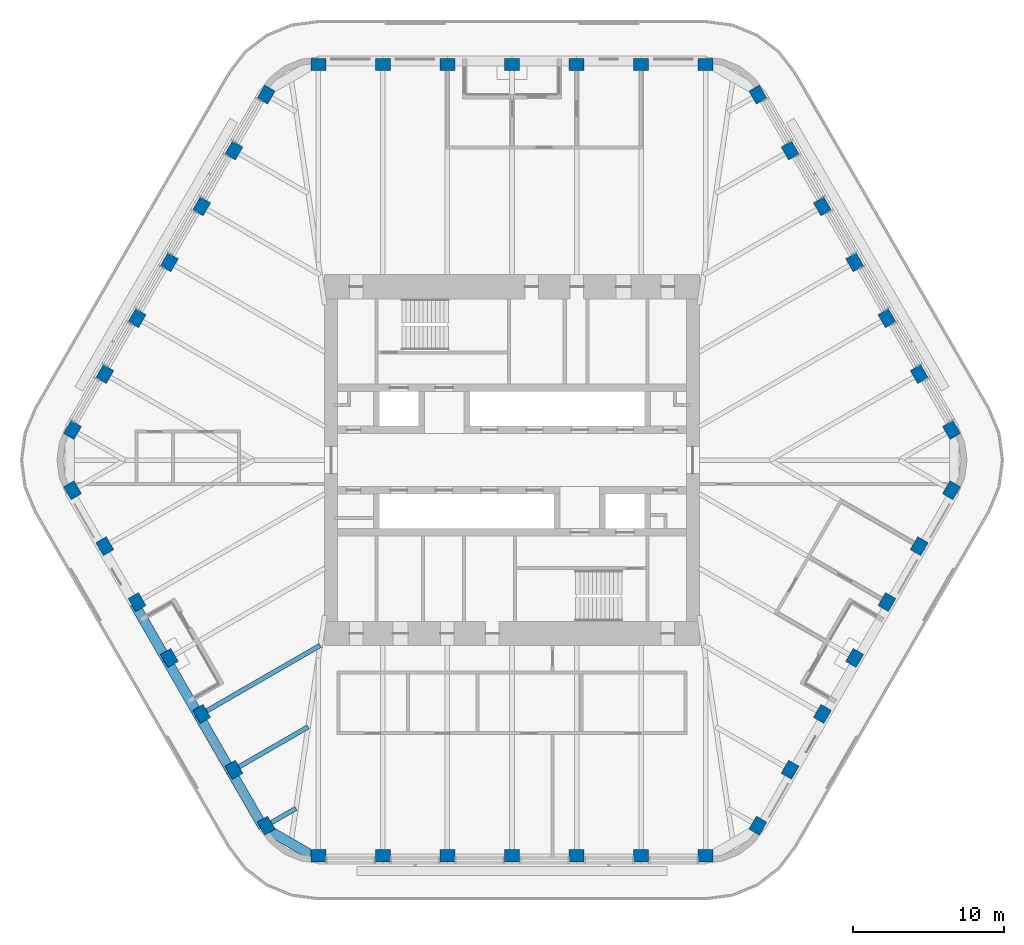
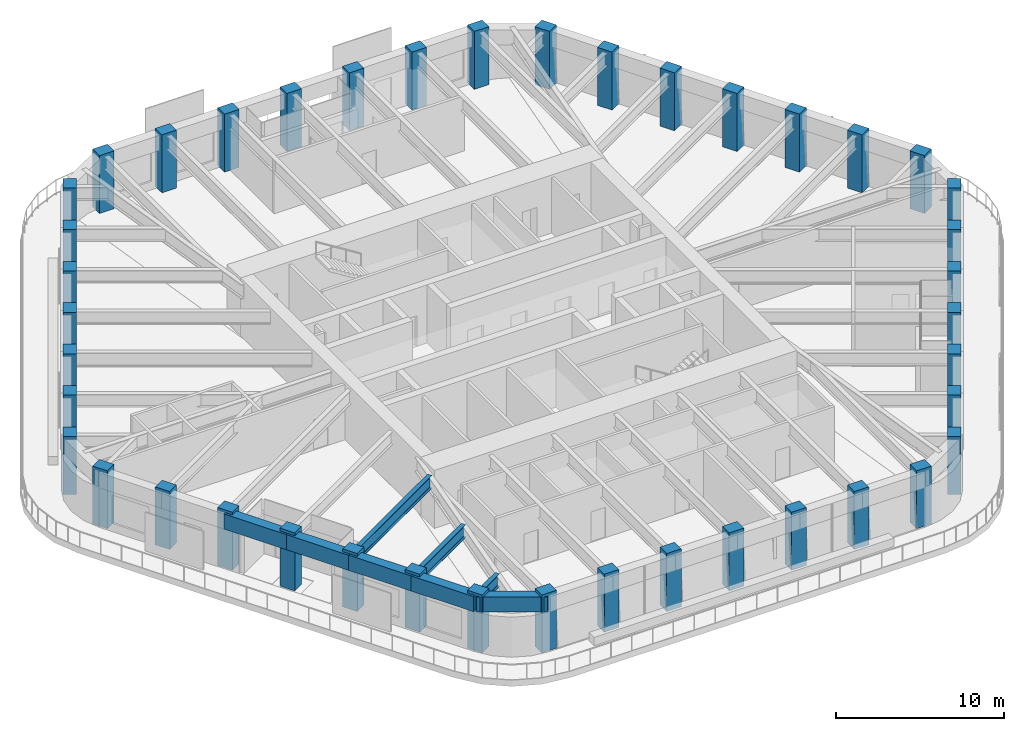
# One storey, part 1 of 19: 42 columns, 8 beams.
"""IFC4 building model written with IfcOpenShell, lengths in metres."""

from ifc_helpers import new_model, si_unit, direction, frame, origin, origin_2d, place, context, subcontext, project, spatial, rectangle, i_section, extrude, material, material_profile, profile_set, type_object, element, save


model = new_model("IFC4")

# Units and contexts
model_context = context("Model", 3, precision=1e-05, world=origin(), true_north=direction((0.0, 1.0)))
body_context = subcontext(model_context, "Body", "Model", "MODEL_VIEW")
ifc_project = project(units=[si_unit("LENGTHUNIT", "METRE"), si_unit("AREAUNIT", "SQUARE_METRE"), si_unit("VOLUMEUNIT", "CUBIC_METRE"), si_unit("PLANEANGLEUNIT", "RADIAN"), si_unit("MASSUNIT", "GRAM", prefix="KILO")], contexts=[model_context])

# Site, building, storey
site_placement = place(None, origin())
site = spatial("IfcSite", under=ifc_project, at=site_placement, CompositionType="ELEMENT")
building_placement = place(site_placement, origin())
building = spatial("IfcBuilding", under=site, at=building_placement, Name="Tarfa Lantern Tower", CompositionType="ELEMENT")
storey_placement = place(building_placement, frame((0.0, 0.0, 336.699951171875)))
storey = spatial("IfcBuildingStorey", under=building, at=storey_placement, Name="L76", CompositionType="ELEMENT", Elevation=336.699951171875)

# Columns
ifc_material_1 = material(Name="Concrete C80/95", Category="concrete")
ifc_material_profile_1 = material_profile(ifc_material_1, rectangle(XDim=1.0, YDim=0.800048828125, at=origin_2d()), Name="RC 1000x800")
ifc_profile_set_1 = profile_set([ifc_material_profile_1], Name="Concrete C80/95")
column_type = type_object("IfcColumnType", Name="TC14 RC 1000x800", PredefinedType="COLUMN", material=ifc_profile_set_1)
for number, where, z_axis, x_axis, name in (
    (1, (29.15625, 2.0, 0.0), (0.0, 0.0, 1.0), (-0.5, 0.866025403784, 0.0), "Tube column NE0"),
    (2, (27.01513671875, 5.708251953125, 0.0), (0.0, 0.0, 1.0), (-0.5, 0.866025403784, 0.0), "Tube column NE1"),
    (3, (24.874267578125, 9.416748046875, 0.0), (0.0, 0.0, 1.0), (-0.5, 0.866025403784, 0.0), "Tube column NE2"),
    (4, (22.733154296875, 13.125, 0.0), (0.0, 0.0, 1.0), (-0.5, 0.866025403784, 0.0), "Tube column NE3"),
    (5, (20.592041015625, 16.833251953125, 0.0), (0.0, 0.0, 1.0), (-0.5, 0.866025403784, 0.0), "Tube column NE4"),
    (6, (18.451171875, 20.541748046875, 0.0), (0.0, 0.0, 1.0), (-0.5, 0.866025403784, 0.0), "Tube column NE5"),
    (7, (16.31005859375, 24.25, 0.0), (0.0, 0.0, 1.0), (-0.5, 0.866025403784, 0.0), "Tube column NE6"),
    (8, (12.845947265625, 26.25, 0.0), (0.0, 0.0, 1.0), (-1.0, 0.0, 0.0), "Tube column N0"),
    (9, (8.56396484375, 26.25, 0.0), (0.0, 0.0, 1.0), (-1.0, 0.0, 0.0), "Tube column N1"),
    (10, (4.281982421875, 26.25, 0.0), (0.0, 0.0, 1.0), (-1.0, 0.0, 0.0), "Tube column N2"),
    (11, (0.0, 26.25, 0.0), (0.0, 0.0, 1.0), (-1.0, 0.0, 0.0), "Tube column N3"),
    (12, (-4.281982421875, 26.25, 0.0), (0.0, 0.0, 1.0), (-1.0, 0.0, 0.0), "Tube column N4"),
    (13, (-8.56396484375, 26.25, 0.0), (0.0, 0.0, 1.0), (-1.0, 0.0, 0.0), "Tube column N5"),
    (14, (-12.845947265625, 26.25, 0.0), (0.0, 0.0, 1.0), (-1.0, 0.0, 0.0), "Tube column N6"),
    (15, (-16.31005859375, 24.25, 0.0), (0.0, 0.0, 1.0), (-0.5, -0.866025403784, 0.0), "Tube column NW0"),
    (16, (-18.451171875, 20.541748046875, 0.0), (0.0, 0.0, 1.0), (-0.5, -0.866025403784, 0.0), "Tube column NW1"),
    (17, (-20.592041015625, 16.833251953125, 0.0), (0.0, 0.0, 1.0), (-0.5, -0.866025403784, 0.0), "Tube column NW2"),
    (18, (-22.733154296875, 13.125, 0.0), (0.0, 0.0, 1.0), (-0.5, -0.866025403784, 0.0), "Tube column NW3"),
    (19, (-24.874267578125, 9.416748046875, 0.0), (0.0, 0.0, 1.0), (-0.5, -0.866025403784, 0.0), "Tube column NW4"),
    (20, (-27.01513671875, 5.708251953125, 0.0), (0.0, 0.0, 1.0), (-0.5, -0.866025403784, 0.0), "Tube column NW5"),
    (21, (-29.15625, 2.0, 0.0), (0.0, 0.0, 1.0), (-0.5, -0.866025403784, 0.0), "Tube column NW6"),
    (22, (-29.15625, -2.0, 0.0), (0.0, 0.0, 1.0), (0.5, -0.866025403784, 0.0), "Tube column SW0"),
    (23, (-27.01513671875, -5.708251953125, 0.0), (0.0, 0.0, 1.0), (0.5, -0.866025403784, 0.0), "Tube column SW1"),
    (24, (-24.874267578125, -9.416748046875, 0.0), (0.0, 0.0, 1.0), (0.5, -0.866025403784, 0.0), "Tube column SW2"),
    (25, (-22.733154296875, -13.125, 0.0), (0.0, 0.0, 1.0), (0.5, -0.866025403784, 0.0), "Tube column SW3"),
    (26, (-20.592041015625, -16.833251953125, 0.0), (0.0, 0.0, 1.0), (0.5, -0.866025403784, 0.0), "Tube column SW4"),
    (27, (-18.451171875, -20.541748046875, 0.0), (0.0, 0.0, 1.0), (0.5, -0.866025403784, 0.0), "Tube column SW5"),
    (28, (-16.31005859375, -24.25, 0.0), (0.0, 0.0, 1.0), (0.5, -0.866025403784, 0.0), "Tube column SW6"),
    (29, (-12.845947265625, -26.25, 0.0), (0.0, 0.0, 1.0), (1.0, 0.0, 0.0), "Tube column S0"),
    (30, (-8.56396484375, -26.25, 0.0), (0.0, 0.0, 1.0), (1.0, 0.0, 0.0), "Tube column S1"),
    (31, (-4.281982421875, -26.25, 0.0), (0.0, 0.0, 1.0), (1.0, 0.0, 0.0), "Tube column S2"),
    (32, (0.0, -26.25, 0.0), (0.0, 0.0, 1.0), (1.0, 0.0, 0.0), "Tube column S3"),
    (33, (4.281982421875, -26.25, 0.0), (0.0, 0.0, 1.0), (1.0, 0.0, 0.0), "Tube column S4"),
    (34, (8.56396484375, -26.25, 0.0), (0.0, 0.0, 1.0), (1.0, 0.0, 0.0), "Tube column S5"),
    (35, (12.845947265625, -26.25, 0.0), (0.0, 0.0, 1.0), (1.0, 0.0, 0.0), "Tube column S6"),
    (36, (16.31005859375, -24.25, 0.0), (0.0, 0.0, 1.0), (0.5, 0.866025403784, 0.0), "Tube column SE0"),
    (37, (18.451171875, -20.541748046875, 0.0), (0.0, 0.0, 1.0), (0.5, 0.866025403784, 0.0), "Tube column SE1"),
    (38, (20.592041015625, -16.833251953125, 0.0), (0.0, 0.0, 1.0), (0.5, 0.866025403784, 0.0), "Tube column SE2"),
    (39, (22.733154296875, -13.125, 0.0), (0.0, 0.0, 1.0), (0.5, 0.866025403784, 0.0), "Tube column SE3"),
    (40, (24.874267578125, -9.416748046875, 0.0), (0.0, 0.0, 1.0), (0.5, 0.866025403784, 0.0), "Tube column SE4"),
    (41, (27.01513671875, -5.708251953125, 0.0), (0.0, 0.0, 1.0), (0.5, 0.866025403784, 0.0), "Tube column SE5"),
    (42, (29.15625, -2.0, 0.0), (0.0, 0.0, 1.0), (0.5, 0.866025403784, 0.0), "Tube column SE6"),
):
    element("IfcColumn", number, at=place(storey_placement, frame(where, z_axis=z_axis, x_axis=x_axis)), inside=storey, type_object=column_type, Name=name, PredefinedType="COLUMN", context=body_context, shape_type="SweptSolid", body=[
        extrude(rectangle(XDim=1.0, YDim=0.800048828125, at=origin_2d()), origin(), (0.0, 0.0, 1.0), 4.199951171875),
    ])

# Beams
ifc_material_profile_2 = material_profile(ifc_material_1, rectangle(XDim=0.64990234375, YDim=1.10009765625, at=origin_2d()), Name="RC 650x1100")
ifc_profile_set_2 = profile_set([ifc_material_profile_2], Name="Concrete C80/95")
beam_type_1 = type_object("IfcBeamType", Name="EB4 RC 650x1100", PredefinedType="SPANDREL", material=ifc_profile_set_2)
beam_1_placement = place(storey_placement, frame((-25.064697265625, -9.526611328125, 3.449951171875), z_axis=(0.500002112793, -0.866024183959, 0.0), x_axis=(0.866024183959, 0.500002112793, 0.0)))
element("IfcBeam", 43, at=beam_1_placement, inside=storey, type_object=beam_type_1, Name="Edge beam SW2", PredefinedType="SPANDREL", context=body_context, shape_type="SweptSolid", body=[
    extrude(rectangle(XDim=0.64990234375, YDim=1.10009765625, at=origin_2d()), origin(), (0.0, 0.0, 1.0), 4.2822265625),
])
for number, where, z_axis, x_axis, name in (
    (44, (-22.923583984375, -13.235107421875, 3.449951171875), (0.499984039138, -0.866034618596, 0.0), (0.866034618596, 0.499984039138, 0.0), "Edge beam SW3"),
    (45, (-20.78271484375, -16.943359375, 3.449951171875), (0.500026801138, -0.866009929587, 0.0), (0.866009929587, 0.500026801138, 0.0), "Edge beam SW4"),
    (46, (-18.6416015625, -20.651611328125, 3.449951171875), (0.499959351497, -0.866048870937, 0.0), (0.866048870937, 0.499959351497, 0.0), "Edge beam SW5"),
):
    element("IfcBeam", number, at=place(storey_placement, frame(where, z_axis=z_axis, x_axis=x_axis)), inside=storey, type_object=beam_type_1, Name=name, PredefinedType="SPANDREL", context=body_context, shape_type="SweptSolid", body=[
        extrude(rectangle(XDim=0.64990234375, YDim=1.10009765625, at=origin_2d()), origin(), (0.0, 0.0, 1.0), 4.281982421875),
    ])
beam_2_placement = place(storey_placement, frame((-16.500732421875, -24.360107421875, 3.449951171875), z_axis=(0.866048788483, -0.499959494327, 0.0), x_axis=(0.499959494327, 0.866048788483, 0.0)))
element("IfcBeam", 47, at=beam_2_placement, inside=storey, type_object=beam_type_1, Name="Edge beam SW6", PredefinedType="SPANDREL", context=body_context, shape_type="SweptSolid", body=[
    extrude(rectangle(XDim=0.64990234375, YDim=1.10009765625, at=origin_2d()), origin(), (0.0, 0.0, 1.0), 4.219970703125),
])
ifc_material_2 = material(Name="Steel S460M", Category="steel")
ifc_material_profile_3 = material_profile(ifc_material_2, i_section(OverallWidth=0.305419921875, OverallDepth=0.91845703125, WebThickness=0.017333984375, FlangeThickness=0.02783203125, FilletRadius=0.01904296875, at=origin_2d()), Name="UB914x305x253")
ifc_profile_set_3 = profile_set([ifc_material_profile_3], Name="Steel S460M")
beam_type_2 = type_object("IfcBeamType", Name="UB914x305x253", PredefinedType="BEAM", material=ifc_profile_set_3)
beam_3_placement = place(storey_placement, frame((-20.78271484375, -16.943359375, 3.540771484375), z_axis=(0.866021806508, 0.500006230613, 0.0), x_axis=(-0.500006230613, 0.866021806508, 0.0)))
element("IfcBeam", 48, at=beam_3_placement, inside=storey, type_object=beam_type_2, Name="Floor beam SW4", PredefinedType="BEAM", context=body_context, shape_type="SweptSolid", body=[
    extrude(i_section(OverallWidth=0.305419921875, OverallDepth=0.91845703125, WebThickness=0.017333984375, FlangeThickness=0.02783203125, FilletRadius=0.01904296875, at=origin_2d()), origin(), (0.0, 0.0, 1.0), 9.30908203125),
])
beam_4_placement = place(storey_placement, frame((-18.6416015625, -20.651611328125, 3.540771484375), z_axis=(0.866024549157, 0.500001480256, 0.0), x_axis=(-0.500001480256, 0.866024549157, 0.0)))
element("IfcBeam", 49, at=beam_4_placement, inside=storey, type_object=beam_type_2, Name="Floor beam SW5", PredefinedType="BEAM", context=body_context, shape_type="SweptSolid", body=[
    extrude(i_section(OverallWidth=0.305419921875, OverallDepth=0.91845703125, WebThickness=0.017333984375, FlangeThickness=0.02783203125, FilletRadius=0.01904296875, at=origin_2d()), origin(), (0.0, 0.0, 1.0), 5.90771484375),
])
beam_5_placement = place(storey_placement, frame((-16.500732421875, -24.360107421875, 3.540771484375), z_axis=(0.865992557167, 0.500056887695, 0.0), x_axis=(-0.500056887695, 0.865992557167, 0.0)))
element("IfcBeam", 50, at=beam_5_placement, inside=storey, type_object=beam_type_2, Name="Floor beam SW6", PredefinedType="BEAM", context=body_context, shape_type="SweptSolid", body=[
    extrude(i_section(OverallWidth=0.305419921875, OverallDepth=0.91845703125, WebThickness=0.017333984375, FlangeThickness=0.02783203125, FilletRadius=0.01904296875, at=origin_2d()), origin(), (0.0, 0.0, 1.0), 2.506591796875),
])

save(model, "model.ifc")
